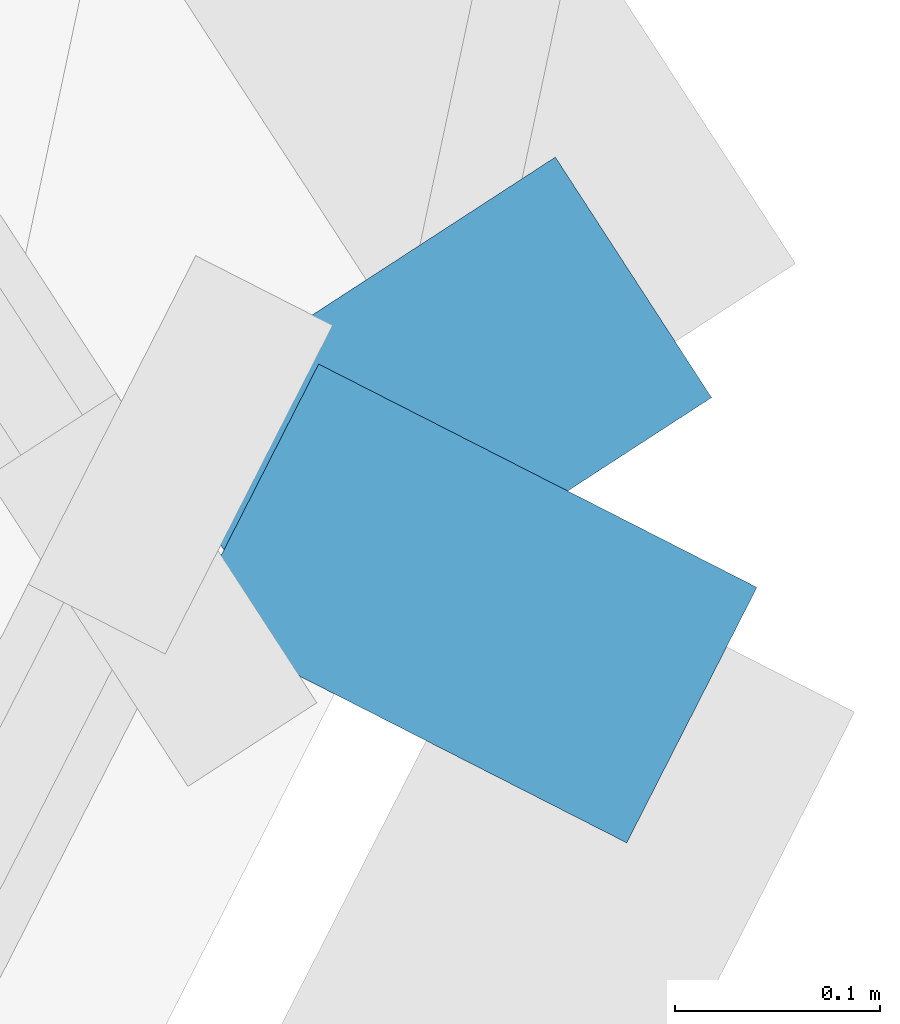
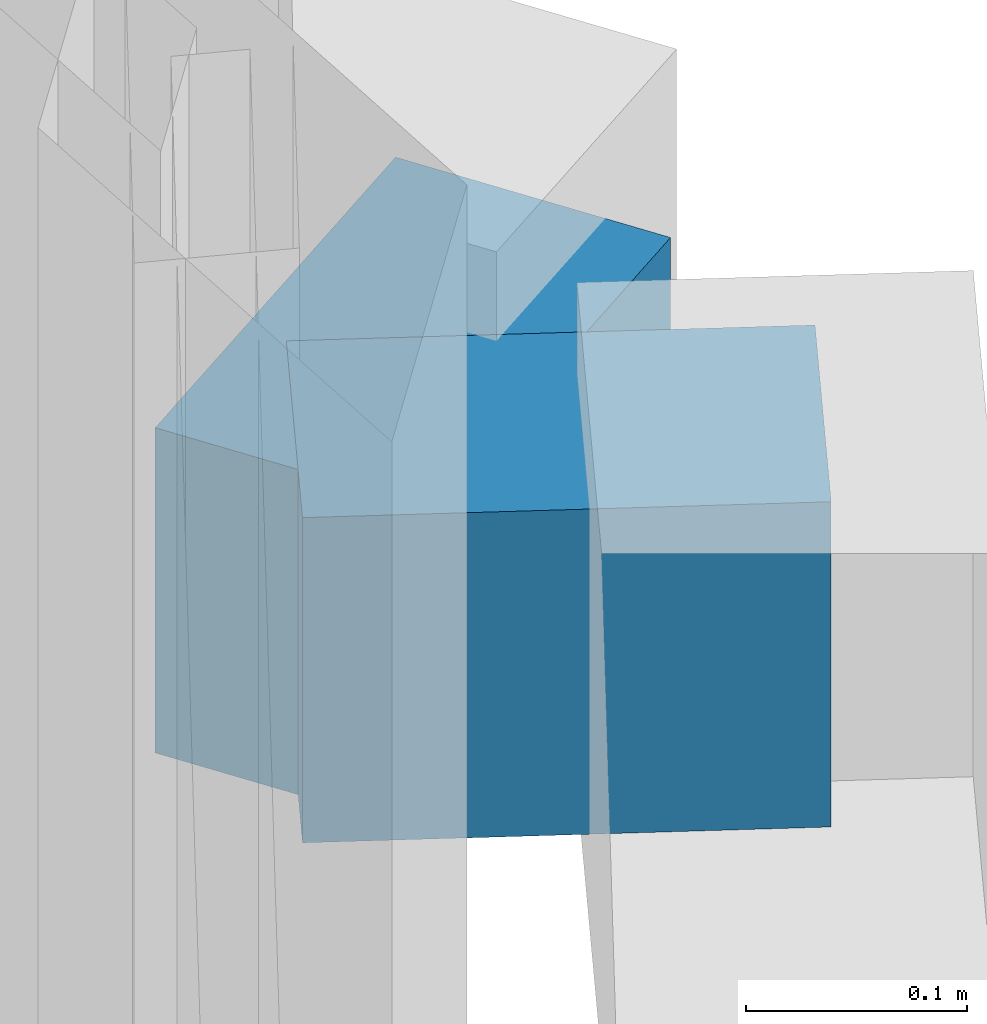
# One storey, part 11 of 15: 2 discrete accessories.
"""IFC4 building model written with IfcOpenShell, lengths in metres."""

from ifc_helpers import new_model, si_unit, direction, frame, origin, origin_2d, place, context, subcontext, project, spatial, rectangle, extrude, material, type_object, element, save


model = new_model("IFC4")

# Units and contexts
model_context = context("Model", 3, precision=1e-05, world=origin(), true_north=direction((0.0, 1.0)))
body_context = subcontext(model_context, "Body", "Model", "MODEL_VIEW")
ifc_project = project(units=[si_unit("LENGTHUNIT", "METRE"), si_unit("AREAUNIT", "SQUARE_METRE"), si_unit("VOLUMEUNIT", "CUBIC_METRE"), si_unit("PLANEANGLEUNIT", "RADIAN"), si_unit("MASSUNIT", "GRAM", prefix="KILO")], contexts=[model_context])

# Site, building, storey
site_placement = place(None, origin())
site = spatial("IfcSite", under=ifc_project, at=site_placement, CompositionType="ELEMENT")
building_placement = place(site_placement, origin())
building = spatial("IfcBuilding", under=site, at=building_placement, Name="Terralouvre Media Tower", CompositionType="ELEMENT")
storey_placement = place(building_placement, frame((0.0, 0.0, 259.60009765625)))
storey = spatial("IfcBuildingStorey", under=building, at=storey_placement, Name="L67", CompositionType="ELEMENT", Elevation=259.60009765625)

# Discrete accessories
ifc_material = material(Name="Anodised extruded aluminium 6063-T6", Category="aluminium")
discrete_accessory_type = type_object("IfcDiscreteAccessoryType", Name="Mullion Stand-Off Baguette Fixing Bracket BK-01", PredefinedType="BRACKET", material=ifc_material)
for number, where, z_axis, x_axis, name in (
    (1, (24.82958984375, 12.44677734375, 2.07373046875), (0.0, 0.0, 1.0), (0.45399044259, 0.891006553308, 0.0), "CW-L67-F0 Baguette Outrigger Bracket 1.06"),
    (2, (24.807373046875, 12.54052734375, 2.07373046875), (0.0, 0.0, 1.0), (-0.544639197097, 0.838670462688, 0.0), "CW-L67-C1 Baguette Outrigger Bracket 1.01"),
):
    element("IfcDiscreteAccessory", number, at=place(storey_placement, frame(where, z_axis=z_axis, x_axis=x_axis)), inside=storey, type_object=discrete_accessory_type, Name=name, PredefinedType="BRACKET", context=body_context, shape_type="SweptSolid", body=[
        extrude(rectangle(XDim=0.139892578125, YDim=0.239990234375, at=origin_2d()), origin(), (0.0, 0.0, 1.0), 0.179931640625),
    ])

save(model, "model.ifc")
